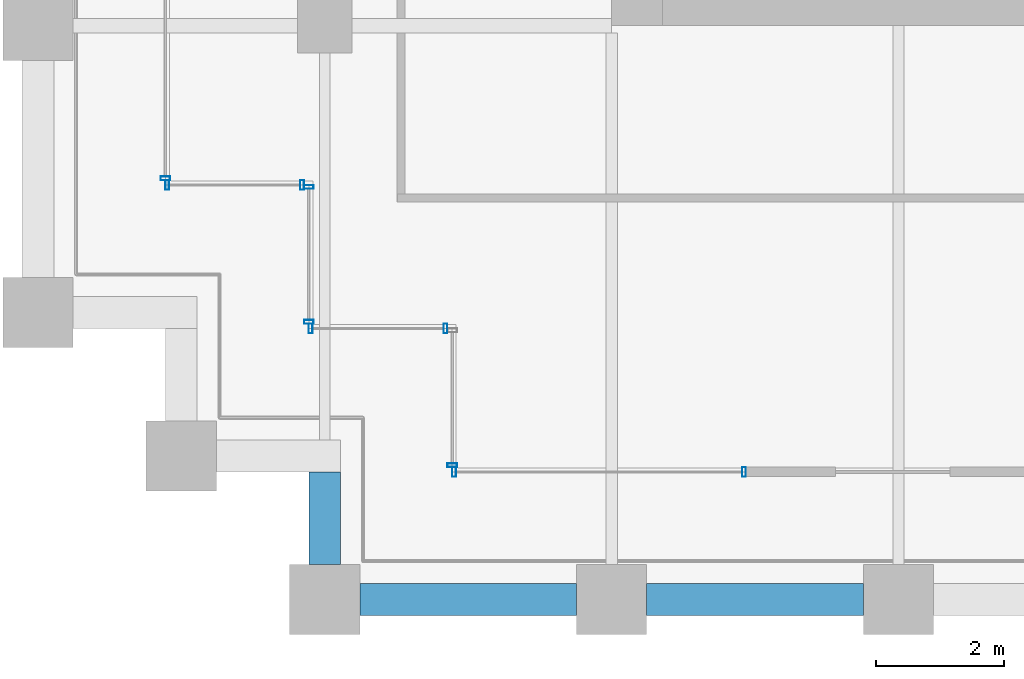
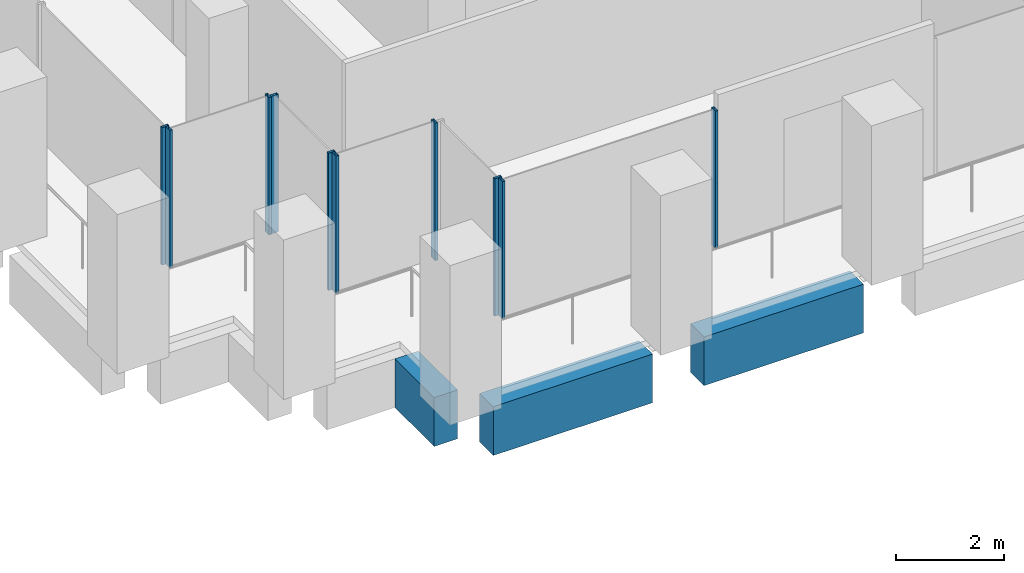
# One storey, part 34 of 54: 10 members, 3 beams, 6 elements without a shape of their own.
"""IFC4 building model written with IfcOpenShell, lengths in metres."""

import ifcopenshell
import ifcopenshell.guid

model = None  # the IFC model being written
_history = None  # IfcOwnerHistory: only IFC2X3 demands one
_inside = {}  # id of a spatial element -> (the spatial element, [elements in it])
_under = {}  # id of a project, library or spatial element -> (it, [spatial elements below it])
_declared = {}  # id of a project -> (the project, [libraries it declares])
_typed = {}  # id of a type object -> (the type object, [elements of that type])
_made_of = {}  # id of a material, layer set ... -> (it, [elements and type objects made of it])


def new_model(schema):
    """Start an empty IFC model of exactly this schema.

    Asked for "IFC4X3", IfcOpenShell would pick the latest addendum, in which some entities
    have other attributes; the version numbers below select the first issue.
    IFC2X3 requires an IfcOwnerHistory on every rooted entity: one is made here for all.
    """
    global model, _history
    if schema == "IFC4X3":
        model = ifcopenshell.file(schema_version=(4, 3, 0, 0))
    else:
        model = ifcopenshell.file(schema=schema)
    _inside.clear()
    _under.clear()
    _declared.clear()
    _typed.clear()
    _made_of.clear()
    _history = None
    if model.schema == "IFC2X3":
        org = make("IfcOrganization", Name="unknown")
        user = make(
            "IfcPersonAndOrganization",
            ThePerson=make("IfcPerson", FamilyName="unknown"),
            TheOrganization=org,
        )
        app = make(
            "IfcApplication",
            ApplicationDeveloper=org,
            Version="unknown",
            ApplicationFullName="unknown",
            ApplicationIdentifier="unknown",
        )
        _history = make(
            "IfcOwnerHistory",
            OwningUser=user,
            OwningApplication=app,
            ChangeAction="ADDED",
            CreationDate=0,
        )
    return model


def make(cls, **values):
    """One entity of the class cls with the attributes given. An attribute that is None is left unset."""
    return model.create_entity(
        cls, **{name: value for name, value in values.items() if value is not None}
    )


def rooted(cls, **values):
    """An entity with a GlobalId (a new one), such as an element, a storey or a relation."""
    return make(cls, GlobalId=ifcopenshell.guid.new(), OwnerHistory=_history, **values)


def si_unit(unit_type, name, prefix=None):
    """IfcSIUnit, for example si_unit("LENGTHUNIT", "METRE", prefix="MILLI")."""
    return make("IfcSIUnit", UnitType=unit_type, Prefix=prefix, Name=name)


def assignment(units):
    """IfcUnitAssignment: the units of a project."""
    return None if units is None else make("IfcUnitAssignment", Units=units)


def point(xyz):
    """IfcCartesianPoint."""
    return None if xyz is None else make("IfcCartesianPoint", Coordinates=xyz)


def direction(xyz):
    """IfcDirection."""
    return None if xyz is None else make("IfcDirection", DirectionRatios=xyz)


def frame(location, z_axis=None, x_axis=None):
    """IfcAxis2Placement3D, a coordinate frame: its origin and axes. An axis left out is left unset."""
    return make(
        "IfcAxis2Placement3D",
        Location=point(location),
        Axis=direction(z_axis),
        RefDirection=direction(x_axis),
    )


def frame_2d(location, x_axis=None):
    """IfcAxis2Placement2D, a coordinate frame in the plane: its origin and x axis."""
    return make(
        "IfcAxis2Placement2D", Location=point(location), RefDirection=direction(x_axis)
    )


def origin():
    """The frame at (0, 0, 0) with its axes left unset."""
    return frame((0.0, 0.0, 0.0))


def origin_2d():
    """The frame at (0, 0) in the plane with its x axis left unset."""
    return frame_2d((0.0, 0.0))


def place(relative_to, where):
    """IfcLocalPlacement: puts the frame where relative to a parent placement (None: the world)."""
    return make(
        "IfcLocalPlacement", PlacementRelTo=relative_to, RelativePlacement=where
    )


def context(
    kind, dimensions, precision=None, world=None, true_north=None, identifier=None
):
    """IfcGeometricRepresentationContext, for example the 3D "Model" context."""
    return make(
        "IfcGeometricRepresentationContext",
        ContextIdentifier=identifier,
        ContextType=kind,
        CoordinateSpaceDimension=dimensions,
        Precision=precision,
        WorldCoordinateSystem=world,
        TrueNorth=true_north,
    )


def subcontext(parent, identifier, kind, view, scale=None):
    """IfcGeometricRepresentationSubContext, for example "Body" below "Model"."""
    return make(
        "IfcGeometricRepresentationSubContext",
        ContextIdentifier=identifier,
        ContextType=kind,
        ParentContext=parent,
        TargetScale=scale,
        TargetView=view,
    )


def project(units=None, contexts=None):
    """IfcProject with its units and contexts."""
    return rooted(
        "IfcProject",
        Name="project",
        RepresentationContexts=contexts,
        UnitsInContext=assignment(units),
    )


def spatial(cls, under=None, at=None, **own):
    """A site, building, storey or space (cls), placed at a placement, below another one or the project."""
    s = rooted(cls, ObjectPlacement=at, **own)
    if under is not None:
        _under.setdefault(under.id(), (under, []))[1].append(s)
    return s


def profile(cls, at=None, kind="AREA", **sizes):
    """A parametric profile (cls). Its sizes go by their IFC names, for example OverallWidth=200.0."""
    return make(cls, ProfileType=kind, Position=at, **sizes)


def rectangle(**sizes):
    """IfcRectangleProfileDef."""
    return profile("IfcRectangleProfileDef", **sizes)


def hollow_rectangle(**sizes):
    """IfcRectangleHollowProfileDef."""
    return profile("IfcRectangleHollowProfileDef", **sizes)


def extrude(swept, where, along, depth):
    """IfcExtrudedAreaSolid: the profile swept, set in the frame where, extruded along a direction by depth."""
    return make(
        "IfcExtrudedAreaSolid",
        SweptArea=swept,
        Position=where,
        ExtrudedDirection=direction(along),
        Depth=depth,
    )


def shape(context_of_items, identifier, shape_type, items):
    """IfcShapeRepresentation: the items that make up one representation, for example the "Body"."""
    return make(
        "IfcShapeRepresentation",
        ContextOfItems=context_of_items,
        RepresentationIdentifier=identifier,
        RepresentationType=shape_type,
        Items=items,
    )


def material(Name=None, Category=None):
    """IfcMaterial."""
    return make("IfcMaterial", Name=Name, Category=Category)


def material_profile(
    of_material, cross_section, Name=None, Category=None, Priority=None
):
    """IfcMaterialProfile: a cross section and its material."""
    return make(
        "IfcMaterialProfile",
        Name=Name,
        Material=of_material,
        Profile=cross_section,
        Priority=Priority,
        Category=Category,
    )


def profile_set(profiles, Name=None, composite=None):
    """IfcMaterialProfileSet."""
    return make(
        "IfcMaterialProfileSet",
        Name=Name,
        MaterialProfiles=profiles,
        CompositeProfile=composite,
    )


def made_of(thing, what):
    """Note that an element or type object is made of a material, layer set ...; save() writes the relation."""
    if what is not None:
        _made_of.setdefault(what.id(), (what, []))[1].append(thing)
    return thing


def type_object(cls, material=None, **own):
    """A type object (cls), such as IfcWallType, which elements share."""
    return made_of(rooted(cls, **own), material)


def element(
    cls,
    number,
    at=None,
    inside=None,
    cuts=None,
    type_object=None,
    material=None,
    context=None,
    identifier="Body",
    shape_type=None,
    held_by="IfcProductDefinitionShape",
    body=None,
    shapes=None,
    **own,
):
    """One element of the class cls, such as IfcWall. Its Tag is "e" and its number.

    at: its placement. inside: the storey or other place that contains it. cuts: it is an
    opening in that element (IfcRelVoidsElement). A single representation is given by context,
    identifier, shape_type and body (its items); several are given by shapes. held_by: the class
    of the entity that holds the representations. save() writes the other relations.
    """
    e = rooted(cls, Tag="e%d" % number, ObjectPlacement=at, **own)
    if body is not None:
        shapes = [shape(context, identifier, shape_type, body)]
    if shapes is not None:
        e.Representation = make(held_by, Representations=shapes)
    if inside is not None:
        _inside.setdefault(inside.id(), (inside, []))[1].append(e)
    if cuts is not None:
        rooted(
            "IfcRelVoidsElement", RelatingBuildingElement=cuts, RelatedOpeningElement=e
        )
    if type_object is not None:
        _typed.setdefault(type_object.id(), (type_object, []))[1].append(e)
    return made_of(e, material)


def aggregate(whole, parts):
    """IfcRelAggregates: a whole, such as a stair, and the parts it consists of."""
    return rooted("IfcRelAggregates", RelatingObject=whole, RelatedObjects=parts)


def save(model, path):
    """Write the relations noted so far, then the file.

    IfcRelAggregates (storeys below a building ...), IfcRelContainedInSpatialStructure (elements
    in a storey), IfcRelDefinesByType, IfcRelAssociatesMaterial and IfcRelDeclares: one each for
    every whole, place, type object, material and project.
    """
    for whole, parts in _under.values():
        aggregate(whole, parts)
    for where, things in _inside.values():
        rooted(
            "IfcRelContainedInSpatialStructure",
            RelatedElements=things,
            RelatingStructure=where,
        )
    for kind, things in _typed.values():
        rooted("IfcRelDefinesByType", RelatedObjects=things, RelatingType=kind)
    for what, things in _made_of.values():
        rooted("IfcRelAssociatesMaterial", RelatedObjects=things, RelatingMaterial=what)
    for by, libraries in _declared.values():
        rooted("IfcRelDeclares", RelatingContext=by, RelatedDefinitions=libraries)
    model.write(path)


model = new_model("IFC4")

# Units and contexts
model_context = context("Model", 3, precision=1e-05, world=origin(), true_north=direction((0.0, 1.0)))
body_context = subcontext(model_context, "Body", "Model", "MODEL_VIEW")
ifc_project = project(units=[si_unit("LENGTHUNIT", "METRE"), si_unit("AREAUNIT", "SQUARE_METRE"), si_unit("VOLUMEUNIT", "CUBIC_METRE"), si_unit("PLANEANGLEUNIT", "RADIAN"), si_unit("MASSUNIT", "GRAM", prefix="KILO")], contexts=[model_context])

# Site, building, storey
site_placement = place(None, origin())
site = spatial("IfcSite", under=ifc_project, at=site_placement, CompositionType="ELEMENT")
building_placement = place(site_placement, origin())
building = spatial("IfcBuilding", under=site, at=building_placement, Name="Altepetl Exchange Towers", CompositionType="ELEMENT")
storey_placement = place(building_placement, frame((0.0, 0.0, 65.39990234375)))
storey = spatial("IfcBuildingStorey", under=building, at=storey_placement, Name="L15", CompositionType="ELEMENT", Elevation=65.39990234375)

# Curtain wall, member
ifc_material_1 = material(Name="Aluminium 6063-T6 glazing", Category="aluminium")
curtain_wall_type = type_object("IfcCurtainWallType", Name="Loggia glazing system", PredefinedType="NOTDEFINED", material=ifc_material_1)
curtain_wall_1_placement = place(storey_placement, origin())
curtain_wall_1 = element("IfcCurtainWall", 1, at=curtain_wall_1_placement, inside=storey, type_object=curtain_wall_type, Name="CW1 run", PredefinedType="NOTDEFINED")
ifc_material_2 = material(Name="Aluminium 6063-T6", Category="aluminium")
ifc_material_profile_1 = material_profile(ifc_material_2, hollow_rectangle(XDim=0.06005859375, YDim=0.14990234375, WallThickness=0.0029296875, at=origin_2d()), Name="Mullion 60x150 aluminium")
ifc_profile_set_1 = profile_set([ifc_material_profile_1], Name="Aluminium 6063-T6")
member_type = type_object("IfcMemberType", Name="Mullion 60x150 aluminium", PredefinedType="MULLION", material=ifc_profile_set_1)
member_1_placement = place(storey_placement, frame((96.5, 33.60498046875, 0.0), z_axis=(0.0, 0.0, 1.0), x_axis=(0.0, -1.0, 0.0)))
member_1 = element("IfcMember", 2, at=member_1_placement, type_object=member_type, Name="MU1 mullion", PredefinedType="MULLION", context=body_context, shape_type="SweptSolid", body=[
    extrude(hollow_rectangle(XDim=0.06005859375, YDim=0.14990234375, WallThickness=0.0029296875, at=origin_2d()), origin(), (0.0, 0.0, 1.0), 3.10009765625),
])
aggregate(curtain_wall_1, [member_1])

# Curtain wall, members
curtain_wall_2_placement = place(storey_placement, origin())
curtain_wall_2 = element("IfcCurtainWall", 3, at=curtain_wall_2_placement, inside=storey, type_object=curtain_wall_type, Name="CW1 run", PredefinedType="NOTDEFINED")
member_2_placement = place(storey_placement, frame((96.530029296875, 33.5, 0.0)))
member_2 = element("IfcMember", 4, at=member_2_placement, type_object=member_type, Name="MU1 mullion", PredefinedType="MULLION", context=body_context, shape_type="SweptSolid", body=[
    extrude(hollow_rectangle(XDim=0.06005859375, YDim=0.14990234375, WallThickness=0.0029296875, at=origin_2d()), origin(), (0.0, 0.0, 1.0), 3.10009765625),
])
member_3_placement = place(storey_placement, frame((98.64501953125, 33.5, 0.0)))
member_3 = element("IfcMember", 5, at=member_3_placement, type_object=member_type, Name="MU1 mullion", PredefinedType="MULLION", context=body_context, shape_type="SweptSolid", body=[
    extrude(hollow_rectangle(XDim=0.06005859375, YDim=0.14990234375, WallThickness=0.0029296875, at=origin_2d()), origin(), (0.0, 0.0, 1.0), 3.10009765625),
])
aggregate(curtain_wall_2, [member_2, member_3])

curtain_wall_3_placement = place(storey_placement, origin())
curtain_wall_3 = element("IfcCurtainWall", 6, at=curtain_wall_3_placement, inside=storey, type_object=curtain_wall_type, Name="CW1 run", PredefinedType="NOTDEFINED")
member_4_placement = place(storey_placement, frame((98.75, 33.469970703125, 0.0), z_axis=(0.0, 0.0, 1.0), x_axis=(0.0, -1.0, 0.0)))
member_4 = element("IfcMember", 7, at=member_4_placement, type_object=member_type, Name="MU1 mullion", PredefinedType="MULLION", context=body_context, shape_type="SweptSolid", body=[
    extrude(hollow_rectangle(XDim=0.06005859375, YDim=0.14990234375, WallThickness=0.0029296875, at=origin_2d()), origin(), (0.0, 0.0, 1.0), 3.10009765625),
])
member_5_placement = place(storey_placement, frame((98.75, 31.35498046875, 0.0), z_axis=(0.0, 0.0, 1.0), x_axis=(0.0, -1.0, 0.0)))
member_5 = element("IfcMember", 8, at=member_5_placement, type_object=member_type, Name="MU1 mullion", PredefinedType="MULLION", context=body_context, shape_type="SweptSolid", body=[
    extrude(hollow_rectangle(XDim=0.06005859375, YDim=0.14990234375, WallThickness=0.0029296875, at=origin_2d()), origin(), (0.0, 0.0, 1.0), 3.10009765625),
])
aggregate(curtain_wall_3, [member_4, member_5])

curtain_wall_4_placement = place(storey_placement, origin())
curtain_wall_4 = element("IfcCurtainWall", 9, at=curtain_wall_4_placement, inside=storey, type_object=curtain_wall_type, Name="CW1 run", PredefinedType="NOTDEFINED")
member_6_placement = place(storey_placement, frame((98.780029296875, 31.25, 0.0)))
member_6 = element("IfcMember", 10, at=member_6_placement, type_object=member_type, Name="MU1 mullion", PredefinedType="MULLION", context=body_context, shape_type="SweptSolid", body=[
    extrude(hollow_rectangle(XDim=0.06005859375, YDim=0.14990234375, WallThickness=0.0029296875, at=origin_2d()), origin(), (0.0, 0.0, 1.0), 3.10009765625),
])
member_7_placement = place(storey_placement, frame((100.89501953125, 31.25, 0.0)))
member_7 = element("IfcMember", 11, at=member_7_placement, type_object=member_type, Name="MU1 mullion", PredefinedType="MULLION", context=body_context, shape_type="SweptSolid", body=[
    extrude(hollow_rectangle(XDim=0.06005859375, YDim=0.14990234375, WallThickness=0.0029296875, at=origin_2d()), origin(), (0.0, 0.0, 1.0), 3.10009765625),
])
aggregate(curtain_wall_4, [member_6, member_7])

# Curtain wall, member
curtain_wall_5_placement = place(storey_placement, origin())
curtain_wall_5 = element("IfcCurtainWall", 12, at=curtain_wall_5_placement, inside=storey, type_object=curtain_wall_type, Name="CW1 run", PredefinedType="NOTDEFINED")
member_8_placement = place(storey_placement, frame((101.0, 29.10498046875, 0.0), z_axis=(0.0, 0.0, 1.0), x_axis=(0.0, -1.0, 0.0)))
member_8 = element("IfcMember", 13, at=member_8_placement, type_object=member_type, Name="MU1 mullion", PredefinedType="MULLION", context=body_context, shape_type="SweptSolid", body=[
    extrude(hollow_rectangle(XDim=0.06005859375, YDim=0.14990234375, WallThickness=0.0029296875, at=origin_2d()), origin(), (0.0, 0.0, 1.0), 3.10009765625),
])
aggregate(curtain_wall_5, [member_8])

# Curtain wall, members
curtain_wall_6_placement = place(storey_placement, origin())
curtain_wall_6 = element("IfcCurtainWall", 14, at=curtain_wall_6_placement, inside=storey, type_object=curtain_wall_type, Name="CW1 run", PredefinedType="NOTDEFINED")
member_9_placement = place(storey_placement, frame((101.030029296875, 29.0, 0.0)))
member_9 = element("IfcMember", 15, at=member_9_placement, type_object=member_type, Name="MU1 mullion", PredefinedType="MULLION", context=body_context, shape_type="SweptSolid", body=[
    extrude(hollow_rectangle(XDim=0.06005859375, YDim=0.14990234375, WallThickness=0.0029296875, at=origin_2d()), origin(), (0.0, 0.0, 1.0), 3.10009765625),
])
member_10_placement = place(storey_placement, frame((105.576171875, 29.0, 0.0)))
member_10 = element("IfcMember", 16, at=member_10_placement, type_object=member_type, Name="MU1 mullion", PredefinedType="MULLION", context=body_context, shape_type="SweptSolid", body=[
    extrude(hollow_rectangle(XDim=0.06005859375, YDim=0.14990234375, WallThickness=0.0029296875, at=origin_2d()), origin(), (0.0, 0.0, 1.0), 3.10009765625),
])
aggregate(curtain_wall_6, [member_9, member_10])

# Beams
ifc_material_3 = material(Name="Concrete C50/60 precast with tezontle facing", Category="concrete")
ifc_material_profile_2 = material_profile(ifc_material_3, rectangle(XDim=0.5, YDim=1.10009765625, at=origin_2d()), Name="500 x 1100")
ifc_profile_set_2 = profile_set([ifc_material_profile_2], Name="Concrete C50/60 precast with tezontle facing")
beam_type = type_object("IfcBeamType", Name="Spandrel beam 500x1100 tezontle", PredefinedType="SPANDREL", material=ifc_profile_set_2)
for number, where, z_axis, x_axis, name in (
    (17, (99.550048828125, 27.0, -0.699951171875), (1.0, 0.0, 0.0), (0.0, 1.0, 0.0), "sp:B:L15:000"),
    (18, (104.050048828125, 27.0, -0.699951171875), (1.0, 0.0, 0.0), (0.0, 1.0, 0.0), "sp:B:L15:001"),
):
    element("IfcBeam", number, at=place(storey_placement, frame(where, z_axis=z_axis, x_axis=x_axis)), inside=storey, type_object=beam_type, Name=name, PredefinedType="SPANDREL", context=body_context, shape_type="SweptSolid", body=[
        extrude(rectangle(XDim=0.5, YDim=1.10009765625, at=origin_2d()), origin(), (0.0, 0.0, 1.0), 3.39990234375),
    ])
beam_placement = place(storey_placement, frame((99.0, 29.0, -0.699951171875), z_axis=(0.0, -1.0, 0.0), x_axis=(1.0, 0.0, 0.0)))
element("IfcBeam", 19, at=beam_placement, inside=storey, type_object=beam_type, Name="sp:B:L15:035", PredefinedType="SPANDREL", context=body_context, shape_type="SweptSolid", body=[
    extrude(rectangle(XDim=0.5, YDim=1.10009765625, at=origin_2d()), origin(), (0.0, 0.0, 1.0), 1.449951171875),
])

save(model, "model.ifc")
